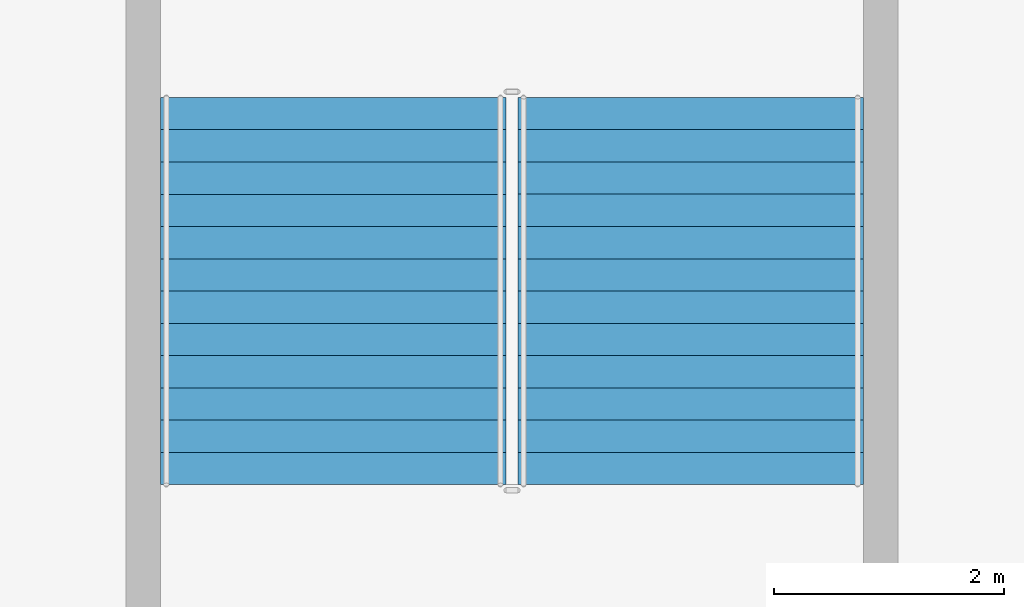
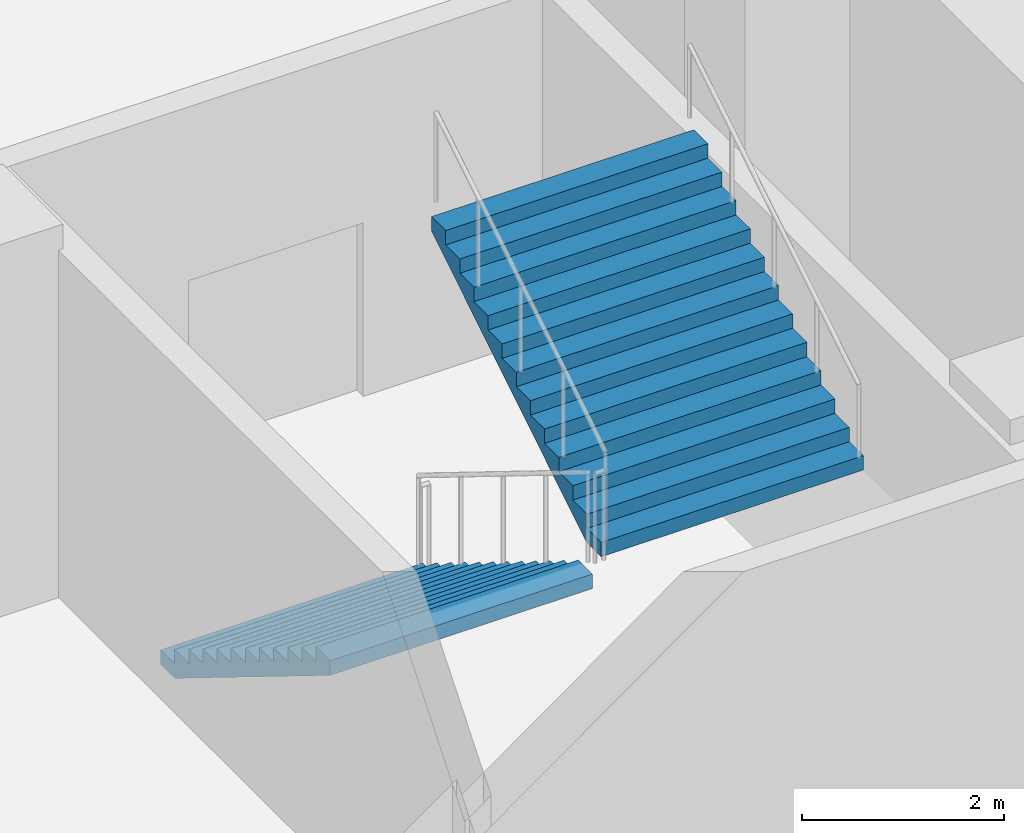
# One storey, part 9 of 13: 2 stair flights, 1 element without a shape of its own.
"""IFC4 building model written with IfcOpenShell, lengths in metres."""

from ifc_helpers import new_model, si_unit, direction, frame, origin, place, context, subcontext, project, spatial, triangles, source, transform, mapped, material, type_object, element, aggregate, save


model = new_model("IFC4")

# Units and contexts
model_context = context("Model", 3, precision=1e-05, world=origin(), true_north=direction((0.0, 1.0)))
body_context = subcontext(model_context, "Body", "Model", "MODEL_VIEW")
ifc_project = project(units=[si_unit("LENGTHUNIT", "METRE"), si_unit("AREAUNIT", "SQUARE_METRE"), si_unit("VOLUMEUNIT", "CUBIC_METRE"), si_unit("PLANEANGLEUNIT", "RADIAN"), si_unit("MASSUNIT", "GRAM", prefix="KILO")], contexts=[model_context])

# Site, building, storey
site_placement = place(None, origin())
site = spatial("IfcSite", under=ifc_project, at=site_placement, CompositionType="ELEMENT")
building_placement = place(site_placement, origin())
building = spatial("IfcBuilding", under=site, at=building_placement, Name="Ogive Portal Towers", CompositionType="ELEMENT")
storey_placement = place(building_placement, frame((0.0, 0.0, -9.0)))
storey = spatial("IfcBuildingStorey", under=building, at=storey_placement, Name="B2", CompositionType="ELEMENT", Elevation=-9.0)

# Stair, stair flights
ifc_material = material(Name="Concrete C40/50", Category="concrete")
stair_type = type_object("IfcStairType", Name="INT-STAIR", PredefinedType="HALF_TURN_STAIR", material=ifc_material)
stair_placement = place(storey_placement, origin())
stair = element("IfcStair", 1, at=stair_placement, inside=storey, type_object=stair_type, Name="B2 Exit Stair ST-S2", PredefinedType="HALF_TURN_STAIR")
stair_flight_type = type_object("IfcStairFlightType", Name="INT-FLIGHT", PredefinedType="STRAIGHT", material=ifc_material)
shared_shape = source(origin(), body_context, "Body", "Tessellation", [
    triangles([(0.0, -1.5, 0.0), (0.0, -0.8681640625, 0.0), (0.0, -0.4443359375, 0.0), (0.0, -0.1875, 0.0), (0.0, -0.0556640625, 0.0), (0.0, -0.0068359375, 0.0), (0.0, 0.0, 0.0), (0.0, 0.0068359375, 0.0), (0.0, 0.0556640625, 0.0), (0.0, 0.1875, 0.0), (0.0, 0.4443359375, 0.0), (0.0, 0.8681640625, 0.0), (0.0, 1.5, 0.0), (0.0, -1.5, 0.173095703125), (0.0, -0.8681640625, 0.173095703125), (0.0, -0.4443359375, 0.173095703125), (0.0, -0.1875, 0.173095703125), (0.0, -0.0556640625, 0.173095703125), (0.0, -0.0068359375, 0.173095703125), (0.0, 0.0, 0.173095703125), (0.0, 0.0068359375, 0.173095703125), (0.0, 0.0556640625, 0.173095703125), (0.0, 0.1875, 0.173095703125), (0.0, 0.4443359375, 0.173095703125), (0.0, 0.8681640625, 0.173095703125), (0.0, 1.5, 0.173095703125), (0.280029296875, -1.5, 0.173095703125), (0.280029296875, -0.8681640625, 0.173095703125), (0.280029296875, -0.4443359375, 0.173095703125), (0.280029296875, -0.1875, 0.173095703125), (0.280029296875, -0.0556640625, 0.173095703125), (0.280029296875, -0.0068359375, 0.173095703125), (0.280029296875, 0.0, 0.173095703125), (0.280029296875, 0.0068359375, 0.173095703125), (0.280029296875, 0.0556640625, 0.173095703125), (0.280029296875, 0.1875, 0.173095703125), (0.280029296875, 0.4443359375, 0.173095703125), (0.280029296875, 0.8681640625, 0.173095703125), (0.280029296875, 1.5, 0.173095703125), (0.280029296875, -1.5, 0.34619140625), (0.280029296875, -0.8681640625, 0.34619140625), (0.280029296875, -0.4443359375, 0.34619140625), (0.280029296875, -0.1875, 0.34619140625), (0.280029296875, -0.0556640625, 0.34619140625), (0.280029296875, -0.0068359375, 0.34619140625), (0.280029296875, 0.0, 0.34619140625), (0.280029296875, 0.0068359375, 0.34619140625), (0.280029296875, 0.0556640625, 0.34619140625), (0.280029296875, 0.1875, 0.34619140625), (0.280029296875, 0.4443359375, 0.34619140625), (0.280029296875, 0.8681640625, 0.34619140625), (0.280029296875, 1.5, 0.34619140625), (0.56005859375, -1.5, 0.34619140625), (0.56005859375, -0.8681640625, 0.34619140625), (0.56005859375, -0.4443359375, 0.34619140625), (0.56005859375, -0.1875, 0.34619140625), (0.56005859375, -0.0556640625, 0.34619140625), (0.56005859375, -0.0068359375, 0.34619140625), (0.56005859375, 0.0, 0.34619140625), (0.56005859375, 0.0068359375, 0.34619140625), (0.56005859375, 0.0556640625, 0.34619140625), (0.56005859375, 0.1875, 0.34619140625), (0.56005859375, 0.4443359375, 0.34619140625), (0.56005859375, 0.8681640625, 0.34619140625), (0.56005859375, 1.5, 0.34619140625), (0.56005859375, -1.5, 0.519287109375), (0.56005859375, -0.8681640625, 0.519287109375), (0.56005859375, -0.4443359375, 0.519287109375), (0.56005859375, -0.1875, 0.519287109375), (0.56005859375, -0.0556640625, 0.519287109375), (0.56005859375, -0.0068359375, 0.519287109375), (0.56005859375, 0.0, 0.519287109375), (0.56005859375, 0.0068359375, 0.519287109375), (0.56005859375, 0.0556640625, 0.519287109375), (0.56005859375, 0.1875, 0.519287109375), (0.56005859375, 0.4443359375, 0.519287109375), (0.56005859375, 0.8681640625, 0.519287109375), (0.56005859375, 1.5, 0.519287109375), (0.840087890625, -1.5, 0.519287109375), (0.840087890625, -0.8681640625, 0.519287109375), (0.840087890625, -0.4443359375, 0.519287109375), (0.840087890625, -0.1875, 0.519287109375), (0.840087890625, -0.0556640625, 0.519287109375), (0.840087890625, -0.0068359375, 0.519287109375), (0.840087890625, 0.0, 0.519287109375), (0.840087890625, 0.0068359375, 0.519287109375), (0.840087890625, 0.0556640625, 0.519287109375), (0.840087890625, 0.1875, 0.519287109375), (0.840087890625, 0.4443359375, 0.519287109375), (0.840087890625, 0.8681640625, 0.519287109375), (0.840087890625, 1.5, 0.519287109375), (0.840087890625, -1.5, 0.6923828125), (0.840087890625, -0.8681640625, 0.6923828125), (0.840087890625, -0.4443359375, 0.6923828125), (0.840087890625, -0.1875, 0.6923828125), (0.840087890625, -0.0556640625, 0.6923828125), (0.840087890625, -0.0068359375, 0.6923828125), (0.840087890625, 0.0, 0.6923828125), (0.840087890625, 0.0068359375, 0.6923828125), (0.840087890625, 0.0556640625, 0.6923828125), (0.840087890625, 0.1875, 0.6923828125), (0.840087890625, 0.4443359375, 0.6923828125), (0.840087890625, 0.8681640625, 0.6923828125), (0.840087890625, 1.5, 0.6923828125), (1.1201171875, -1.5, 0.6923828125), (1.1201171875, -0.8681640625, 0.6923828125), (1.1201171875, -0.4443359375, 0.6923828125), (1.1201171875, -0.1875, 0.6923828125), (1.1201171875, -0.0556640625, 0.6923828125), (1.1201171875, -0.0068359375, 0.6923828125), (1.1201171875, 0.0, 0.6923828125), (1.1201171875, 0.0068359375, 0.6923828125), (1.1201171875, 0.0556640625, 0.6923828125), (1.1201171875, 0.1875, 0.6923828125), (1.1201171875, 0.4443359375, 0.6923828125), (1.1201171875, 0.8681640625, 0.6923828125), (1.1201171875, 1.5, 0.6923828125), (1.1201171875, -1.5, 0.865478515625), (1.1201171875, -0.8681640625, 0.865478515625), (1.1201171875, -0.4443359375, 0.865478515625), (1.1201171875, -0.1875, 0.865478515625), (1.1201171875, -0.0556640625, 0.865478515625), (1.1201171875, -0.0068359375, 0.865478515625), (1.1201171875, 0.0, 0.865478515625), (1.1201171875, 0.0068359375, 0.865478515625), (1.1201171875, 0.0556640625, 0.865478515625), (1.1201171875, 0.1875, 0.865478515625), (1.1201171875, 0.4443359375, 0.865478515625), (1.1201171875, 0.8681640625, 0.865478515625), (1.1201171875, 1.5, 0.865478515625), (1.39990234375, -1.5, 0.865478515625), (1.39990234375, -0.8681640625, 0.865478515625), (1.39990234375, -0.4443359375, 0.865478515625), (1.39990234375, -0.1875, 0.865478515625), (1.39990234375, -0.0556640625, 0.865478515625), (1.39990234375, -0.0068359375, 0.865478515625), (1.39990234375, 0.0, 0.865478515625), (1.39990234375, 0.0068359375, 0.865478515625), (1.39990234375, 0.0556640625, 0.865478515625), (1.39990234375, 0.1875, 0.865478515625), (1.39990234375, 0.4443359375, 0.865478515625), (1.39990234375, 0.8681640625, 0.865478515625), (1.39990234375, 1.5, 0.865478515625), (1.39990234375, -1.5, 1.03857421875), (1.39990234375, -0.8681640625, 1.03857421875), (1.39990234375, -0.4443359375, 1.03857421875), (1.39990234375, -0.1875, 1.03857421875), (1.39990234375, -0.0556640625, 1.03857421875), (1.39990234375, -0.0068359375, 1.03857421875), (1.39990234375, 0.0, 1.03857421875), (1.39990234375, 0.0068359375, 1.03857421875), (1.39990234375, 0.0556640625, 1.03857421875), (1.39990234375, 0.1875, 1.03857421875), (1.39990234375, 0.4443359375, 1.03857421875), (1.39990234375, 0.8681640625, 1.03857421875), (1.39990234375, 1.5, 1.03857421875), (1.679931640625, -1.5, 1.03857421875), (1.679931640625, -0.8681640625, 1.03857421875), (1.679931640625, -0.4443359375, 1.03857421875), (1.679931640625, -0.1875, 1.03857421875), (1.679931640625, -0.0556640625, 1.03857421875), (1.679931640625, -0.0068359375, 1.03857421875), (1.679931640625, 0.0, 1.03857421875), (1.679931640625, 0.0068359375, 1.03857421875), (1.679931640625, 0.0556640625, 1.03857421875), (1.679931640625, 0.1875, 1.03857421875), (1.679931640625, 0.4443359375, 1.03857421875), (1.679931640625, 0.8681640625, 1.03857421875), (1.679931640625, 1.5, 1.03857421875), (1.679931640625, -1.5, 1.21142578125), (1.679931640625, -0.8681640625, 1.21142578125), (1.679931640625, -0.4443359375, 1.21142578125), (1.679931640625, -0.1875, 1.21142578125), (1.679931640625, -0.0556640625, 1.21142578125), (1.679931640625, -0.0068359375, 1.21142578125), (1.679931640625, 0.0, 1.21142578125), (1.679931640625, 0.0068359375, 1.21142578125), (1.679931640625, 0.0556640625, 1.21142578125), (1.679931640625, 0.1875, 1.21142578125), (1.679931640625, 0.4443359375, 1.21142578125), (1.679931640625, 0.8681640625, 1.21142578125), (1.679931640625, 1.5, 1.21142578125), (1.9599609375, -1.5, 1.21142578125), (1.9599609375, -0.8681640625, 1.21142578125), (1.9599609375, -0.4443359375, 1.21142578125), (1.9599609375, -0.1875, 1.21142578125), (1.9599609375, -0.0556640625, 1.21142578125), (1.9599609375, -0.0068359375, 1.21142578125), (1.9599609375, 0.0, 1.21142578125), (1.9599609375, 0.0068359375, 1.21142578125), (1.9599609375, 0.0556640625, 1.21142578125), (1.9599609375, 0.1875, 1.21142578125), (1.9599609375, 0.4443359375, 1.21142578125), (1.9599609375, 0.8681640625, 1.21142578125), (1.9599609375, 1.5, 1.21142578125), (1.9599609375, -1.5, 1.384521484375), (1.9599609375, -0.8681640625, 1.384521484375), (1.9599609375, -0.4443359375, 1.384521484375), (1.9599609375, -0.1875, 1.384521484375), (1.9599609375, -0.0556640625, 1.384521484375), (1.9599609375, -0.0068359375, 1.384521484375), (1.9599609375, 0.0, 1.384521484375), (1.9599609375, 0.0068359375, 1.384521484375), (1.9599609375, 0.0556640625, 1.384521484375), (1.9599609375, 0.1875, 1.384521484375), (1.9599609375, 0.4443359375, 1.384521484375), (1.9599609375, 0.8681640625, 1.384521484375), (1.9599609375, 1.5, 1.384521484375), (2.239990234375, -1.5, 1.384521484375), (2.239990234375, -0.8681640625, 1.384521484375), (2.239990234375, -0.4443359375, 1.384521484375), (2.239990234375, -0.1875, 1.384521484375), (2.239990234375, -0.0556640625, 1.384521484375), (2.239990234375, -0.0068359375, 1.384521484375), (2.239990234375, 0.0, 1.384521484375), (2.239990234375, 0.0068359375, 1.384521484375), (2.239990234375, 0.0556640625, 1.384521484375), (2.239990234375, 0.1875, 1.384521484375), (2.239990234375, 0.4443359375, 1.384521484375), (2.239990234375, 0.8681640625, 1.384521484375), (2.239990234375, 1.5, 1.384521484375), (2.239990234375, -1.5, 1.5576171875), (2.239990234375, -0.8681640625, 1.5576171875), (2.239990234375, -0.4443359375, 1.5576171875), (2.239990234375, -0.1875, 1.5576171875), (2.239990234375, -0.0556640625, 1.5576171875), (2.239990234375, -0.0068359375, 1.5576171875), (2.239990234375, 0.0, 1.5576171875), (2.239990234375, 0.0068359375, 1.5576171875), (2.239990234375, 0.0556640625, 1.5576171875), (2.239990234375, 0.1875, 1.5576171875), (2.239990234375, 0.4443359375, 1.5576171875), (2.239990234375, 0.8681640625, 1.5576171875), (2.239990234375, 1.5, 1.5576171875), (2.52001953125, -1.5, 1.5576171875), (2.52001953125, -0.8681640625, 1.5576171875), (2.52001953125, -0.4443359375, 1.5576171875), (2.52001953125, -0.1875, 1.5576171875), (2.52001953125, -0.0556640625, 1.5576171875), (2.52001953125, -0.0068359375, 1.5576171875), (2.52001953125, 0.0, 1.5576171875), (2.52001953125, 0.0068359375, 1.5576171875), (2.52001953125, 0.0556640625, 1.5576171875), (2.52001953125, 0.1875, 1.5576171875), (2.52001953125, 0.4443359375, 1.5576171875), (2.52001953125, 0.8681640625, 1.5576171875), (2.52001953125, 1.5, 1.5576171875), (2.52001953125, -1.5, 1.730712890625), (2.52001953125, -0.8681640625, 1.730712890625), (2.52001953125, -0.4443359375, 1.730712890625), (2.52001953125, -0.1875, 1.730712890625), (2.52001953125, -0.0556640625, 1.730712890625), (2.52001953125, -0.0068359375, 1.730712890625), (2.52001953125, 0.0, 1.730712890625), (2.52001953125, 0.0068359375, 1.730712890625), (2.52001953125, 0.0556640625, 1.730712890625), (2.52001953125, 0.1875, 1.730712890625), (2.52001953125, 0.4443359375, 1.730712890625), (2.52001953125, 0.8681640625, 1.730712890625), (2.52001953125, 1.5, 1.730712890625), (2.800048828125, -1.5, 1.730712890625), (2.800048828125, -0.8681640625, 1.730712890625), (2.800048828125, -0.4443359375, 1.730712890625), (2.800048828125, -0.1875, 1.730712890625), (2.800048828125, -0.0556640625, 1.730712890625), (2.800048828125, -0.0068359375, 1.730712890625), (2.800048828125, 0.0, 1.730712890625), (2.800048828125, 0.0068359375, 1.730712890625), (2.800048828125, 0.0556640625, 1.730712890625), (2.800048828125, 0.1875, 1.730712890625), (2.800048828125, 0.4443359375, 1.730712890625), (2.800048828125, 0.8681640625, 1.730712890625), (2.800048828125, 1.5, 1.730712890625), (2.800048828125, -1.5, 1.90380859375), (2.800048828125, -0.8681640625, 1.90380859375), (2.800048828125, -0.4443359375, 1.90380859375), (2.800048828125, -0.1875, 1.90380859375), (2.800048828125, -0.0556640625, 1.90380859375), (2.800048828125, -0.0068359375, 1.90380859375), (2.800048828125, 0.0, 1.90380859375), (2.800048828125, 0.0068359375, 1.90380859375), (2.800048828125, 0.0556640625, 1.90380859375), (2.800048828125, 0.1875, 1.90380859375), (2.800048828125, 0.4443359375, 1.90380859375), (2.800048828125, 0.8681640625, 1.90380859375), (2.800048828125, 1.5, 1.90380859375), (3.080078125, -1.5, 1.90380859375), (3.080078125, -0.8681640625, 1.90380859375), (3.080078125, -0.4443359375, 1.90380859375), (3.080078125, -0.1875, 1.90380859375), (3.080078125, -0.0556640625, 1.90380859375), (3.080078125, -0.0068359375, 1.90380859375), (3.080078125, 0.0, 1.90380859375), (3.080078125, 0.0068359375, 1.90380859375), (3.080078125, 0.0556640625, 1.90380859375), (3.080078125, 0.1875, 1.90380859375), (3.080078125, 0.4443359375, 1.90380859375), (3.080078125, 0.8681640625, 1.90380859375), (3.080078125, 1.5, 1.90380859375), (3.080078125, -1.5, 2.076904296875), (3.080078125, -0.8681640625, 2.076904296875), (3.080078125, -0.4443359375, 2.076904296875), (3.080078125, -0.1875, 2.076904296875), (3.080078125, -0.0556640625, 2.076904296875), (3.080078125, -0.0068359375, 2.076904296875), (3.080078125, 0.0, 2.076904296875), (3.080078125, 0.0068359375, 2.076904296875), (3.080078125, 0.0556640625, 2.076904296875), (3.080078125, 0.1875, 2.076904296875), (3.080078125, 0.4443359375, 2.076904296875), (3.080078125, 0.8681640625, 2.076904296875), (3.080078125, 1.5, 2.076904296875), (3.360107421875, -1.5, 2.076904296875), (3.360107421875, -0.8681640625, 2.076904296875), (3.360107421875, -0.4443359375, 2.076904296875), (3.360107421875, -0.1875, 2.076904296875), (3.360107421875, -0.0556640625, 2.076904296875), (3.360107421875, -0.0068359375, 2.076904296875), (3.360107421875, 0.0, 2.076904296875), (3.360107421875, 0.0068359375, 2.076904296875), (3.360107421875, 0.0556640625, 2.076904296875), (3.360107421875, 0.1875, 2.076904296875), (3.360107421875, 0.4443359375, 2.076904296875), (3.360107421875, 0.8681640625, 2.076904296875), (3.360107421875, 1.5, 2.076904296875), (3.360107421875, -1.5, 1.900634765625), (3.360107421875, -0.8681640625, 1.900634765625), (3.360107421875, -0.4443359375, 1.900634765625), (3.360107421875, -0.1875, 1.900634765625), (3.360107421875, -0.0556640625, 1.900634765625), (3.360107421875, -0.0068359375, 1.900634765625), (3.360107421875, 0.0, 1.900634765625), (3.360107421875, 0.0068359375, 1.900634765625), (3.360107421875, 0.0556640625, 1.900634765625), (3.360107421875, 0.1875, 1.900634765625), (3.360107421875, 0.4443359375, 1.900634765625), (3.360107421875, 0.8681640625, 1.900634765625), (3.360107421875, 1.5, 1.900634765625), (0.28515625, -1.5, 0.0), (0.28515625, -0.8681640625, 0.0), (0.28515625, -0.4443359375, 0.0), (0.28515625, -0.1875, 0.0), (0.28515625, -0.0556640625, 0.0), (0.28515625, -0.0068359375, 0.0), (0.28515625, 0.0, 0.0), (0.28515625, 0.0068359375, 0.0), (0.28515625, 0.0556640625, 0.0), (0.28515625, 0.1875, 0.0), (0.28515625, 0.4443359375, 0.0), (0.28515625, 0.8681640625, 0.0), (0.28515625, 1.5, 0.0)], [[1, 14, 15], [1, 15, 2], [2, 15, 16], [2, 16, 3], [3, 16, 17], [3, 17, 4], [4, 17, 18], [4, 18, 5], [5, 18, 19], [5, 19, 6], [6, 19, 20], [6, 20, 7], [7, 20, 21], [7, 21, 8], [8, 21, 22], [8, 22, 9], [9, 22, 23], [9, 23, 10], [10, 23, 24], [10, 24, 11], [11, 24, 25], [11, 25, 12], [12, 25, 26], [12, 26, 13], [14, 27, 28], [14, 28, 15], [15, 28, 29], [15, 29, 16], [16, 29, 30], [16, 30, 17], [17, 30, 31], [17, 31, 18], [18, 31, 32], [18, 32, 19], [19, 32, 33], [19, 33, 20], [20, 33, 34], [20, 34, 21], [21, 34, 35], [21, 35, 22], [22, 35, 36], [22, 36, 23], [23, 36, 37], [23, 37, 24], [24, 37, 38], [24, 38, 25], [25, 38, 39], [25, 39, 26], [27, 40, 41], [27, 41, 28], [28, 41, 42], [28, 42, 29], [29, 42, 43], [29, 43, 30], [30, 43, 44], [30, 44, 31], [31, 44, 45], [31, 45, 32], [32, 45, 46], [32, 46, 33], [33, 46, 47], [33, 47, 34], [34, 47, 48], [34, 48, 35], [35, 48, 49], [35, 49, 36], [36, 49, 50], [36, 50, 37], [37, 50, 51], [37, 51, 38], [38, 51, 52], [38, 52, 39], [40, 53, 54], [40, 54, 41], [41, 54, 55], [41, 55, 42], [42, 55, 56], [42, 56, 43], [43, 56, 57], [43, 57, 44], [44, 57, 58], [44, 58, 45], [45, 58, 59], [45, 59, 46], [46, 59, 60], [46, 60, 47], [47, 60, 61], [47, 61, 48], [48, 61, 62], [48, 62, 49], [49, 62, 63], [49, 63, 50], [50, 63, 64], [50, 64, 51], [51, 64, 65], [51, 65, 52], [53, 66, 67], [53, 67, 54], [54, 67, 68], [54, 68, 55], [55, 68, 69], [55, 69, 56], [56, 69, 70], [56, 70, 57], [57, 70, 71], [57, 71, 58], [58, 71, 72], [58, 72, 59], [59, 72, 73], [59, 73, 60], [60, 73, 74], [60, 74, 61], [61, 74, 75], [61, 75, 62], [62, 75, 76], [62, 76, 63], [63, 76, 77], [63, 77, 64], [64, 77, 78], [64, 78, 65], [66, 79, 80], [66, 80, 67], [67, 80, 81], [67, 81, 68], [68, 81, 82], [68, 82, 69], [69, 82, 83], [69, 83, 70], [70, 83, 84], [70, 84, 71], [71, 84, 85], [71, 85, 72], [72, 85, 86], [72, 86, 73], [73, 86, 87], [73, 87, 74], [74, 87, 88], [74, 88, 75], [75, 88, 89], [75, 89, 76], [76, 89, 90], [76, 90, 77], [77, 90, 91], [77, 91, 78], [79, 92, 93], [79, 93, 80], [80, 93, 94], [80, 94, 81], [81, 94, 95], [81, 95, 82], [82, 95, 96], [82, 96, 83], [83, 96, 97], [83, 97, 84], [84, 97, 98], [84, 98, 85], [85, 98, 99], [85, 99, 86], [86, 99, 100], [86, 100, 87], [87, 100, 101], [87, 101, 88], [88, 101, 102], [88, 102, 89], [89, 102, 103], [89, 103, 90], [90, 103, 104], [90, 104, 91], [92, 105, 106], [92, 106, 93], [93, 106, 107], [93, 107, 94], [94, 107, 108], [94, 108, 95], [95, 108, 109], [95, 109, 96], [96, 109, 110], [96, 110, 97], [97, 110, 111], [97, 111, 98], [98, 111, 112], [98, 112, 99], [99, 112, 113], [99, 113, 100], [100, 113, 114], [100, 114, 101], [101, 114, 115], [101, 115, 102], [102, 115, 116], [102, 116, 103], [103, 116, 117], [103, 117, 104], [105, 118, 119], [105, 119, 106], [106, 119, 120], [106, 120, 107], [107, 120, 121], [107, 121, 108], [108, 121, 122], [108, 122, 109], [109, 122, 123], [109, 123, 110], [110, 123, 124], [110, 124, 111], [111, 124, 125], [111, 125, 112], [112, 125, 126], [112, 126, 113], [113, 126, 127], [113, 127, 114], [114, 127, 128], [114, 128, 115], [115, 128, 129], [115, 129, 116], [116, 129, 130], [116, 130, 117], [118, 131, 132], [118, 132, 119], [119, 132, 133], [119, 133, 120], [120, 133, 134], [120, 134, 121], [121, 134, 135], [121, 135, 122], [122, 135, 136], [122, 136, 123], [123, 136, 137], [123, 137, 124], [124, 137, 138], [124, 138, 125], [125, 138, 139], [125, 139, 126], [126, 139, 140], [126, 140, 127], [127, 140, 141], [127, 141, 128], [128, 141, 142], [128, 142, 129], [129, 142, 143], [129, 143, 130], [131, 144, 145], [131, 145, 132], [132, 145, 146], [132, 146, 133], [133, 146, 147], [133, 147, 134], [134, 147, 148], [134, 148, 135], [135, 148, 149], [135, 149, 136], [136, 149, 150], [136, 150, 137], [137, 150, 151], [137, 151, 138], [138, 151, 152], [138, 152, 139], [139, 152, 153], [139, 153, 140], [140, 153, 154], [140, 154, 141], [141, 154, 155], [141, 155, 142], [142, 155, 156], [142, 156, 143], [144, 157, 158], [144, 158, 145], [145, 158, 159], [145, 159, 146], [146, 159, 160], [146, 160, 147], [147, 160, 161], [147, 161, 148], [148, 161, 162], [148, 162, 149], [149, 162, 163], [149, 163, 150], [150, 163, 164], [150, 164, 151], [151, 164, 165], [151, 165, 152], [152, 165, 166], [152, 166, 153], [153, 166, 167], [153, 167, 154], [154, 167, 168], [154, 168, 155], [155, 168, 169], [155, 169, 156], [157, 170, 171], [157, 171, 158], [158, 171, 172], [158, 172, 159], [159, 172, 173], [159, 173, 160], [160, 173, 174], [160, 174, 161], [161, 174, 175], [161, 175, 162], [162, 175, 176], [162, 176, 163], [163, 176, 177], [163, 177, 164], [164, 177, 178], [164, 178, 165], [165, 178, 179], [165, 179, 166], [166, 179, 180], [166, 180, 167], [167, 180, 181], [167, 181, 168], [168, 181, 182], [168, 182, 169], [170, 183, 184], [170, 184, 171], [171, 184, 185], [171, 185, 172], [172, 185, 186], [172, 186, 173], [173, 186, 187], [173, 187, 174], [174, 187, 188], [174, 188, 175], [175, 188, 189], [175, 189, 176], [176, 189, 190], [176, 190, 177], [177, 190, 191], [177, 191, 178], [178, 191, 192], [178, 192, 179], [179, 192, 193], [179, 193, 180], [180, 193, 194], [180, 194, 181], [181, 194, 195], [181, 195, 182], [183, 196, 197], [183, 197, 184], [184, 197, 198], [184, 198, 185], [185, 198, 199], [185, 199, 186], [186, 199, 200], [186, 200, 187], [187, 200, 201], [187, 201, 188], [188, 201, 202], [188, 202, 189], [189, 202, 203], [189, 203, 190], [190, 203, 204], [190, 204, 191], [191, 204, 205], [191, 205, 192], [192, 205, 206], [192, 206, 193], [193, 206, 207], [193, 207, 194], [194, 207, 208], [194, 208, 195], [196, 209, 210], [196, 210, 197], [197, 210, 211], [197, 211, 198], [198, 211, 212], [198, 212, 199], [199, 212, 213], [199, 213, 200], [200, 213, 214], [200, 214, 201], [201, 214, 215], [201, 215, 202], [202, 215, 216], [202, 216, 203], [203, 216, 217], [203, 217, 204], [204, 217, 218], [204, 218, 205], [205, 218, 219], [205, 219, 206], [206, 219, 220], [206, 220, 207], [207, 220, 221], [207, 221, 208], [209, 222, 223], [209, 223, 210], [210, 223, 224], [210, 224, 211], [211, 224, 225], [211, 225, 212], [212, 225, 226], [212, 226, 213], [213, 226, 227], [213, 227, 214], [214, 227, 228], [214, 228, 215], [215, 228, 229], [215, 229, 216], [216, 229, 230], [216, 230, 217], [217, 230, 231], [217, 231, 218], [218, 231, 232], [218, 232, 219], [219, 232, 233], [219, 233, 220], [220, 233, 234], [220, 234, 221], [222, 235, 236], [222, 236, 223], [223, 236, 237], [223, 237, 224], [224, 237, 238], [224, 238, 225], [225, 238, 239], [225, 239, 226], [226, 239, 240], [226, 240, 227], [227, 240, 241], [227, 241, 228], [228, 241, 242], [228, 242, 229], [229, 242, 243], [229, 243, 230], [230, 243, 244], [230, 244, 231], [231, 244, 245], [231, 245, 232], [232, 245, 246], [232, 246, 233], [233, 246, 247], [233, 247, 234], [235, 248, 249], [235, 249, 236], [236, 249, 250], [236, 250, 237], [237, 250, 251], [237, 251, 238], [238, 251, 252], [238, 252, 239], [239, 252, 253], [239, 253, 240], [240, 253, 254], [240, 254, 241], [241, 254, 255], [241, 255, 242], [242, 255, 256], [242, 256, 243], [243, 256, 257], [243, 257, 244], [244, 257, 258], [244, 258, 245], [245, 258, 259], [245, 259, 246], [246, 259, 260], [246, 260, 247], [248, 261, 262], [248, 262, 249], [249, 262, 263], [249, 263, 250], [250, 263, 264], [250, 264, 251], [251, 264, 265], [251, 265, 252], [252, 265, 266], [252, 266, 253], [253, 266, 267], [253, 267, 254], [254, 267, 268], [254, 268, 255], [255, 268, 269], [255, 269, 256], [256, 269, 270], [256, 270, 257], [257, 270, 271], [257, 271, 258], [258, 271, 272], [258, 272, 259], [259, 272, 273], [259, 273, 260], [261, 274, 275], [261, 275, 262], [262, 275, 276], [262, 276, 263], [263, 276, 277], [263, 277, 264], [264, 277, 278], [264, 278, 265], [265, 278, 279], [265, 279, 266], [266, 279, 280], [266, 280, 267], [267, 280, 281], [267, 281, 268], [268, 281, 282], [268, 282, 269], [269, 282, 283], [269, 283, 270], [270, 283, 284], [270, 284, 271], [271, 284, 285], [271, 285, 272], [272, 285, 286], [272, 286, 273], [274, 287, 288], [274, 288, 275], [275, 288, 289], [275, 289, 276], [276, 289, 290], [276, 290, 277], [277, 290, 291], [277, 291, 278], [278, 291, 292], [278, 292, 279], [279, 292, 293], [279, 293, 280], [280, 293, 294], [280, 294, 281], [281, 294, 295], [281, 295, 282], [282, 295, 296], [282, 296, 283], [283, 296, 297], [283, 297, 284], [284, 297, 298], [284, 298, 285], [285, 298, 299], [285, 299, 286], [287, 300, 301], [287, 301, 288], [288, 301, 302], [288, 302, 289], [289, 302, 303], [289, 303, 290], [290, 303, 304], [290, 304, 291], [291, 304, 305], [291, 305, 292], [292, 305, 306], [292, 306, 293], [293, 306, 307], [293, 307, 294], [294, 307, 308], [294, 308, 295], [295, 308, 309], [295, 309, 296], [296, 309, 310], [296, 310, 297], [297, 310, 311], [297, 311, 298], [298, 311, 312], [298, 312, 299], [300, 313, 314], [300, 314, 301], [301, 314, 315], [301, 315, 302], [302, 315, 316], [302, 316, 303], [303, 316, 317], [303, 317, 304], [304, 317, 318], [304, 318, 305], [305, 318, 319], [305, 319, 306], [306, 319, 320], [306, 320, 307], [307, 320, 321], [307, 321, 308], [308, 321, 322], [308, 322, 309], [309, 322, 323], [309, 323, 310], [310, 323, 324], [310, 324, 311], [311, 324, 325], [311, 325, 312], [313, 326, 327], [313, 327, 314], [314, 327, 328], [314, 328, 315], [315, 328, 329], [315, 329, 316], [316, 329, 330], [316, 330, 317], [317, 330, 331], [317, 331, 318], [318, 331, 332], [318, 332, 319], [319, 332, 333], [319, 333, 320], [320, 333, 334], [320, 334, 321], [321, 334, 335], [321, 335, 322], [322, 335, 336], [322, 336, 323], [323, 336, 337], [323, 337, 324], [324, 337, 338], [324, 338, 325], [326, 339, 340], [326, 340, 327], [327, 340, 341], [327, 341, 328], [328, 341, 342], [328, 342, 329], [329, 342, 343], [329, 343, 330], [330, 343, 344], [330, 344, 331], [331, 344, 345], [331, 345, 332], [332, 345, 346], [332, 346, 333], [333, 346, 347], [333, 347, 334], [334, 347, 348], [334, 348, 335], [335, 348, 349], [335, 349, 336], [336, 349, 350], [336, 350, 337], [337, 350, 351], [337, 351, 338], [339, 1, 2], [339, 2, 340], [340, 2, 3], [340, 3, 341], [341, 3, 4], [341, 4, 342], [342, 4, 5], [342, 5, 343], [343, 5, 6], [343, 6, 344], [344, 6, 7], [344, 7, 345], [345, 7, 8], [345, 8, 346], [346, 8, 9], [346, 9, 347], [347, 9, 10], [347, 10, 348], [348, 10, 11], [348, 11, 349], [349, 11, 12], [349, 12, 350], [350, 12, 13], [350, 13, 351], [1, 339, 326], [13, 338, 351], [326, 313, 300], [338, 312, 325], [326, 300, 287], [338, 299, 312], [326, 287, 274], [338, 286, 299], [326, 274, 261], [338, 273, 286], [261, 248, 235], [273, 247, 260], [326, 261, 235], [338, 247, 273], [235, 222, 209], [247, 221, 234], [326, 235, 209], [338, 221, 247], [209, 196, 183], [221, 195, 208], [326, 209, 183], [338, 195, 221], [1, 326, 183], [13, 195, 338], [183, 170, 157], [195, 169, 182], [157, 144, 131], [169, 143, 156], [183, 157, 131], [195, 143, 169], [131, 118, 105], [143, 117, 130], [183, 131, 105], [195, 117, 143], [105, 92, 79], [117, 91, 104], [183, 105, 79], [195, 91, 117], [79, 66, 53], [91, 65, 78], [183, 79, 53], [195, 65, 91], [53, 40, 27], [65, 39, 52], [183, 53, 27], [195, 39, 65], [1, 183, 27], [13, 39, 195], [27, 14, 1], [39, 13, 26]], closed=True),
])
stair_flight_1_placement = place(storey_placement, frame((96.85009765625, 19.39990234375, 0.0), z_axis=(0.0, 0.0, 1.0), x_axis=(0.0, -1.0, 0.0)))
stair_flight_1 = element("IfcStairFlight", 2, at=stair_flight_1_placement, type_object=stair_flight_type, Name="ST-S2 flight 1", NumberOfRisers=13, NumberOfTreads=12, PredefinedType="STRAIGHT", RiserHeight=0.173076923, TreadLength=0.28, context=body_context, shape_type="MappedRepresentation", body=[
    mapped(shared_shape, transform((0.0, 0.0, 0.0), scale=1.0)),
])
stair_flight_2_placement = place(storey_placement, frame((99.949951171875, 16.0400390625, 2.25), z_axis=(0.0, 0.0, 1.0), x_axis=(0.0, 1.0, 0.0)))
stair_flight_2 = element("IfcStairFlight", 3, at=stair_flight_2_placement, type_object=stair_flight_type, Name="ST-S2 flight 2", NumberOfRisers=13, NumberOfTreads=12, PredefinedType="STRAIGHT", RiserHeight=0.173076923, TreadLength=0.28, context=body_context, shape_type="MappedRepresentation", body=[
    mapped(shared_shape, transform((0.0, 0.0, 0.0), scale=1.0)),
])
aggregate(stair, [stair_flight_1, stair_flight_2])

save(model, "model.ifc")
